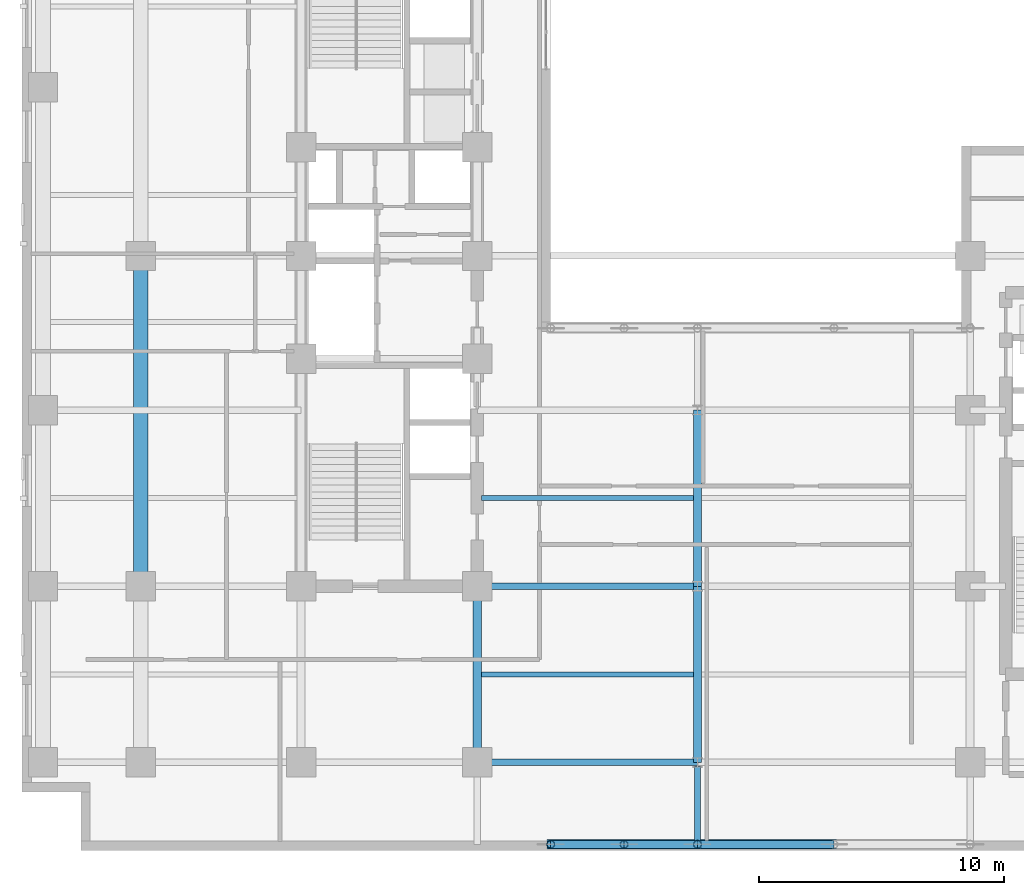
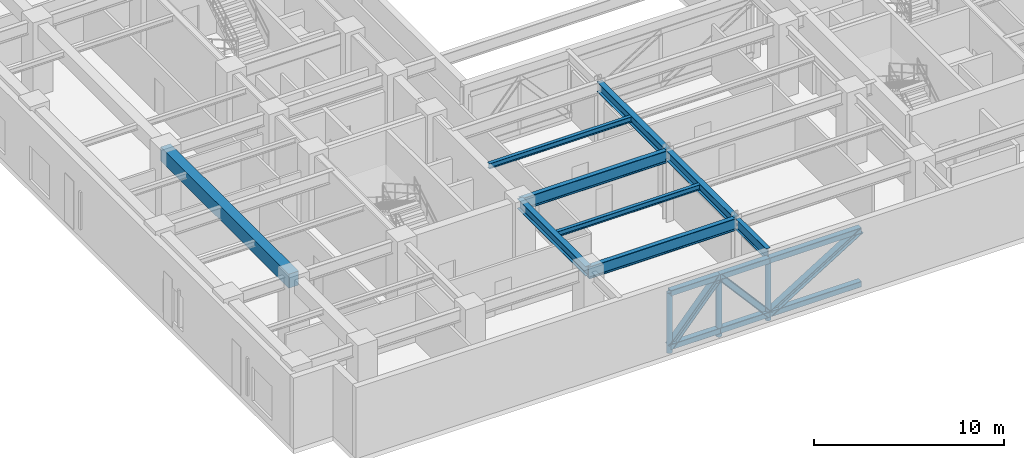
# One storey, part 2 of 18: 12 members, 9 beams.
"""IFC4 building model written with IfcOpenShell, lengths in metres."""

from ifc_helpers import new_model, entity, si_unit, converted_unit, direction, frame, origin_with_axes, origin_2d_with_axis, place, context, subcontext, project, spatial, rectangle, hollow_rectangle, hollow_circle, i_section, extrude, material, material_profile, profile_set, type_object, element, save


model = new_model("IFC4")

# Units and contexts
model_context = context("Model", 3, precision=1e-05, world=origin_with_axes(), true_north=direction((0.0, 1.0)))
body_context = subcontext(model_context, "Body", "Model", "MODEL_VIEW")
ifc_project = project(units=[si_unit("LENGTHUNIT", "METRE"), si_unit("AREAUNIT", "SQUARE_METRE"), si_unit("VOLUMEUNIT", "CUBIC_METRE"), converted_unit("PLANEANGLEUNIT", "DEGREE", entity("IfcPlaneAngleMeasure", 0.017453292519943295), si_unit("PLANEANGLEUNIT", "RADIAN"), dimensions=[0, 0, 0, 0, 0, 0, 0]), si_unit("MASSUNIT", "GRAM", prefix="KILO"), si_unit("THERMODYNAMICTEMPERATUREUNIT", "KELVIN")], contexts=[model_context])

# Site, building, storey
site_placement = place(None, origin_with_axes())
site = spatial("IfcSite", under=ifc_project, at=site_placement, CompositionType="ELEMENT")
building_placement = place(site_placement, origin_with_axes())
building = spatial("IfcBuilding", under=site, at=building_placement, Name="Varnlund Millrace Tower", CompositionType="ELEMENT")
storey_placement = place(building_placement, frame((0.0, 0.0, 124.2), z_axis=(0.0, 0.0, 1.0), x_axis=(1.0, 0.0, 0.0)))
storey = spatial("IfcBuildingStorey", under=building, at=storey_placement, Name="L30", CompositionType="ELEMENT", Elevation=124.2)

# Beams
ifc_material_1 = material(Name="Steel ASTM A992 Grade 50", Category="steel")
ifc_material_profile_1 = material_profile(ifc_material_1, i_section(OverallWidth=0.328, OverallDepth=0.628, WebThickness=0.0165, FlangeThickness=0.0277, FilletRadius=0.018, at=origin_2d_with_axis()), Name="Steel ASTM A992 Grade 50")
ifc_profile_set_1 = profile_set([ifc_material_profile_1], Name="Steel ASTM A992 Grade 50")
beam_type_1 = type_object("IfcBeamType", Name="Type-Girder-W24X146", PredefinedType="USERDEFINED", material=ifc_profile_set_1)
for number, where, z_axis, x_axis, name in (
    (1, (18.6, 3.6, 4.246), (0.0, 1.0, 0.0), (-1.0, 0.0, 0.0), "Type-Girder-W24X146"),
    (2, (27.6, 3.6, 4.246), (0.0, 1.0, 0.0), (-1.0, 0.0, 0.0), "Type-Girder-W24X146"),
    (3, (27.6, 10.8, 4.246), (0.0, 1.0, 0.0), (-1.0, 0.0, 0.0), "Type-Girder-W24X146"),
):
    element("IfcBeam", number, at=place(storey_placement, frame(where, z_axis=z_axis, x_axis=x_axis)), inside=storey, type_object=beam_type_1, Name=name, ObjectType="GIRDER", PredefinedType="USERDEFINED", context=body_context, shape_type="SweptSolid", body=[
        extrude(i_section(OverallWidth=0.328, OverallDepth=0.628, WebThickness=0.0165, FlangeThickness=0.0277, FilletRadius=0.018, at=origin_2d_with_axis()), origin_with_axes(), (0.0, 0.0, 1.0), 7.2),
    ])
ifc_material_profile_2 = material_profile(ifc_material_1, i_section(OverallWidth=0.256, OverallDepth=0.693, WebThickness=0.0145, FlangeThickness=0.0236, FilletRadius=0.018, at=origin_2d_with_axis()), Name="Steel ASTM A992 Grade 50")
ifc_profile_set_2 = profile_set([ifc_material_profile_2], Name="Steel ASTM A992 Grade 50")
beam_type_2 = type_object("IfcBeamType", Name="Type-Girder-W27X114", PredefinedType="USERDEFINED", material=ifc_profile_set_2)
beam_1_placement = place(storey_placement, frame((27.6, 0.25, 4.2135), z_axis=(0.0, 1.0, 0.0), x_axis=(-1.0, 0.0, 0.0)))
element("IfcBeam", 4, at=beam_1_placement, inside=storey, type_object=beam_type_2, Name="Type-Girder-W27X114", ObjectType="GIRDER", PredefinedType="USERDEFINED", context=body_context, shape_type="SweptSolid", body=[
    extrude(i_section(OverallWidth=0.256, OverallDepth=0.693, WebThickness=0.0145, FlangeThickness=0.0236, FilletRadius=0.018, at=origin_2d_with_axis()), origin_with_axes(), (0.0, 0.0, 1.0), 3.21),
])
ifc_material_profile_3 = material_profile(ifc_material_1, i_section(OverallWidth=0.266, OverallDepth=0.779, WebThickness=0.0165, FlangeThickness=0.03, FilletRadius=0.02, at=origin_2d_with_axis()), Name="Steel ASTM A992 Grade 50")
ifc_profile_set_3 = profile_set([ifc_material_profile_3], Name="Steel ASTM A992 Grade 50")
beam_type_3 = type_object("IfcBeamType", Name="Type-Girder-W30X148", PredefinedType="USERDEFINED", material=ifc_profile_set_3)
for number, where, z_axis, x_axis, name in (
    (5, (18.6, 3.6, 4.1705), (1.0, 0.0, 0.0), (0.0, 1.0, 0.0), "Type-Girder-W30X148"),
    (6, (18.6, 10.8, 4.1705), (1.0, 0.0, 0.0), (0.0, 1.0, 0.0), "Type-Girder-W30X148"),
):
    element("IfcBeam", number, at=place(storey_placement, frame(where, z_axis=z_axis, x_axis=x_axis)), inside=storey, type_object=beam_type_3, Name=name, ObjectType="GIRDER", PredefinedType="USERDEFINED", context=body_context, shape_type="SweptSolid", body=[
        extrude(i_section(OverallWidth=0.266, OverallDepth=0.779, WebThickness=0.0165, FlangeThickness=0.03, FilletRadius=0.02, at=origin_2d_with_axis()), origin_with_axes(), (0.0, 0.0, 1.0), 9.0),
    ])
ifc_material_profile_4 = material_profile(ifc_material_1, i_section(OverallWidth=0.204, OverallDepth=0.35, WebThickness=0.0086, FlangeThickness=0.0151, FilletRadius=0.013, at=origin_2d_with_axis()), Name="Steel ASTM A992 Grade 50")
ifc_profile_set_4 = profile_set([ifc_material_profile_4], Name="Steel ASTM A992 Grade 50")
beam_type_4 = type_object("IfcBeamType", Name="Type-Joist-W14X48", PredefinedType="JOIST", material=ifc_profile_set_4)
for number, where, z_axis, x_axis, name in (
    (7, (18.764, 7.2, 4.385), (1.0, 0.0, 0.0), (0.0, 1.0, 0.0), "Type-Joist-W14X48"),
    (8, (18.764, 14.4, 4.385), (1.0, 0.0, 0.0), (0.0, 1.0, 0.0), "Type-Joist-W14X48"),
):
    element("IfcBeam", number, at=place(storey_placement, frame(where, z_axis=z_axis, x_axis=x_axis)), inside=storey, type_object=beam_type_4, Name=name, PredefinedType="JOIST", context=body_context, shape_type="SweptSolid", body=[
        extrude(i_section(OverallWidth=0.204, OverallDepth=0.35, WebThickness=0.0086, FlangeThickness=0.0151, FilletRadius=0.013, at=origin_2d_with_axis()), origin_with_axes(), (0.0, 0.0, 1.0), 8.672),
    ])

# Members
ifc_material_2 = material(Name="Steel ASTM A500 Grade C", Category="steel")
ifc_material_profile_5 = material_profile(ifc_material_2, hollow_rectangle(XDim=0.356, YDim=0.356, WallThickness=0.0147, InnerFilletRadius=0.015, OuterFilletRadius=0.03, at=origin_2d_with_axis()), Name="Steel ASTM A500 Grade C")
ifc_profile_set_5 = profile_set([ifc_material_profile_5], Name="Steel ASTM A500 Grade C")
member_type_1 = type_object("IfcMemberType", Name="Type-Portal-Chord-HSS14", PredefinedType="CHORD", material=ifc_profile_set_5)
for number, where, z_axis, x_axis, name in (
    (9, (21.6, 0.25, 0.4), (1.0, 0.0, 0.0), (0.0, 1.0, 0.0), "Type-Portal-Chord-HSS14"),
    (10, (21.6, 0.25, 3.85), (1.0, 0.0, 0.0), (0.0, 1.0, 0.0), "Type-Portal-Chord-HSS14"),
    (11, (24.6, 0.25, 0.4), (1.0, 0.0, 0.0), (0.0, 1.0, 0.0), "Type-Portal-Chord-HSS14"),
    (12, (24.6, 0.25, 3.85), (1.0, 0.0, 0.0), (0.0, 1.0, 0.0), "Type-Portal-Chord-HSS14"),
):
    element("IfcMember", number, at=place(storey_placement, frame(where, z_axis=z_axis, x_axis=x_axis)), inside=storey, type_object=member_type_1, Name=name, PredefinedType="CHORD", context=body_context, shape_type="SweptSolid", body=[
        extrude(hollow_rectangle(XDim=0.356, YDim=0.356, WallThickness=0.0147, InnerFilletRadius=0.015, OuterFilletRadius=0.03, at=origin_2d_with_axis()), origin_with_axes(), (0.0, 0.0, 1.0), 3.0),
    ])
for number, where, z_axis, x_axis, name in (
    (13, (27.6, 0.25, 0.4), (1.0, 0.0, 0.0), (0.0, 1.0, 0.0), "Type-Portal-Chord-HSS14"),
    (14, (27.6, 0.25, 3.85), (1.0, 0.0, 0.0), (0.0, 1.0, 0.0), "Type-Portal-Chord-HSS14"),
):
    element("IfcMember", number, at=place(storey_placement, frame(where, z_axis=z_axis, x_axis=x_axis)), inside=storey, type_object=member_type_1, Name=name, PredefinedType="CHORD", context=body_context, shape_type="SweptSolid", body=[
        extrude(hollow_rectangle(XDim=0.356, YDim=0.356, WallThickness=0.0147, InnerFilletRadius=0.015, OuterFilletRadius=0.03, at=origin_2d_with_axis()), origin_with_axes(), (0.0, 0.0, 1.0), 5.58),
    ])
ifc_material_profile_6 = material_profile(ifc_material_1, i_section(OverallWidth=0.394, OverallDepth=0.375, WebThickness=0.0173, FlangeThickness=0.0277, FilletRadius=0.02, at=origin_2d_with_axis()), Name="Steel ASTM A992 Grade 50")
ifc_profile_set_6 = profile_set([ifc_material_profile_6], Name="Steel ASTM A992 Grade 50")
member_type_2 = type_object("IfcMemberType", Name="Type-Portal-Diag-W14X145", PredefinedType="BRACE", material=ifc_profile_set_6)
for number, where, z_axis, x_axis, name in (
    (15, (21.6, 0.25, 0.4), (0.656179, 0.0, 0.754606), (0.0, 1.0, 0.0), "Type-Portal-Diag-W14X145"),
    (16, (24.6, 0.25, 3.85), (0.656179, 0.0, -0.754606), (0.0, 1.0, 0.0), "Type-Portal-Diag-W14X145"),
):
    element("IfcMember", number, at=place(storey_placement, frame(where, z_axis=z_axis, x_axis=x_axis)), inside=storey, type_object=member_type_2, Name=name, PredefinedType="BRACE", context=body_context, shape_type="SweptSolid", body=[
        extrude(i_section(OverallWidth=0.394, OverallDepth=0.375, WebThickness=0.0173, FlangeThickness=0.0277, FilletRadius=0.02, at=origin_2d_with_axis()), origin_with_axes(), (0.0, 0.0, 1.0), 4.571925),
    ])
member_placement = place(storey_placement, frame((27.6, 0.25, 0.4), z_axis=(0.850557, 0.0, 0.525882), x_axis=(0.0, 1.0, 0.0)))
element("IfcMember", 17, at=member_placement, inside=storey, type_object=member_type_2, Name="Type-Portal-Diag-W14X145", PredefinedType="BRACE", context=body_context, shape_type="SweptSolid", body=[
    extrude(i_section(OverallWidth=0.394, OverallDepth=0.375, WebThickness=0.0173, FlangeThickness=0.0277, FilletRadius=0.02, at=origin_2d_with_axis()), origin_with_axes(), (0.0, 0.0, 1.0), 6.560404),
])
ifc_material_profile_7 = material_profile(ifc_material_2, hollow_circle(Radius=0.162, WallThickness=0.0118, at=origin_2d_with_axis()), Name="Steel ASTM A500 Grade C")
ifc_profile_set_7 = profile_set([ifc_material_profile_7], Name="Steel ASTM A500 Grade C")
member_type_3 = type_object("IfcMemberType", Name="Type-Portal-Strut-CHS324", PredefinedType="STRUT", material=ifc_profile_set_7)
for number, where, z_axis, x_axis, name in (
    (18, (21.6, 0.25, 0.0), (0.0, 0.0, 1.0), (1.0, 0.0, 0.0), "Type-Portal-Strut-CHS324"),
    (19, (24.6, 0.25, 0.0), (0.0, 0.0, 1.0), (1.0, 0.0, 0.0), "Type-Portal-Strut-CHS324"),
    (20, (27.6, 0.25, 0.0), (0.0, 0.0, 1.0), (1.0, 0.0, 0.0), "Type-Portal-Strut-CHS324"),
):
    element("IfcMember", number, at=place(storey_placement, frame(where, z_axis=z_axis, x_axis=x_axis)), inside=storey, type_object=member_type_3, Name=name, PredefinedType="STRUT", context=body_context, shape_type="SweptSolid", body=[
        extrude(hollow_circle(Radius=0.162, WallThickness=0.0118, at=origin_2d_with_axis()), origin_with_axes(), (0.0, 0.0, 1.0), 3.85),
    ])

# Beam
ifc_material_3 = material(Name="Concrete C70/85", Category="concrete")
ifc_material_profile_8 = material_profile(ifc_material_3, rectangle(XDim=0.6, YDim=0.9, at=origin_2d_with_axis()), Name="Concrete C70/85")
ifc_profile_set_8 = profile_set([ifc_material_profile_8], Name="Concrete C70/85")
beam_type_5 = type_object("IfcBeamType", Name="Type-Spandrel-RC600X900", PredefinedType="SPANDREL", material=ifc_profile_set_8)
beam_2_placement = place(storey_placement, frame((4.85, 10.8, 4.11), z_axis=(0.0, 1.0, 0.0), x_axis=(-1.0, 0.0, 0.0)))
element("IfcBeam", 21, at=beam_2_placement, inside=storey, type_object=beam_type_5, Name="Type-Spandrel-RC600X900", PredefinedType="SPANDREL", context=body_context, shape_type="SweptSolid", body=[
    extrude(rectangle(XDim=0.6, YDim=0.9, at=origin_2d_with_axis()), origin_with_axes(), (0.0, 0.0, 1.0), 13.5),
])

save(model, "model.ifc")
